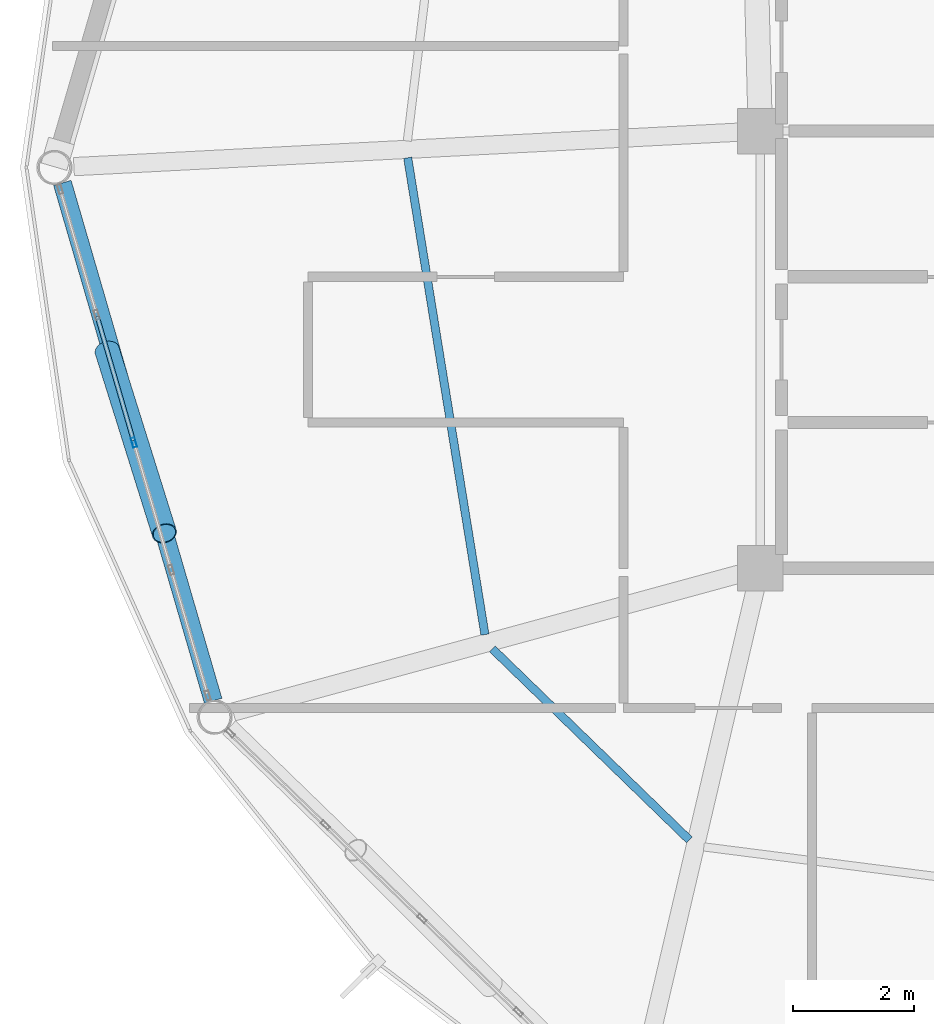
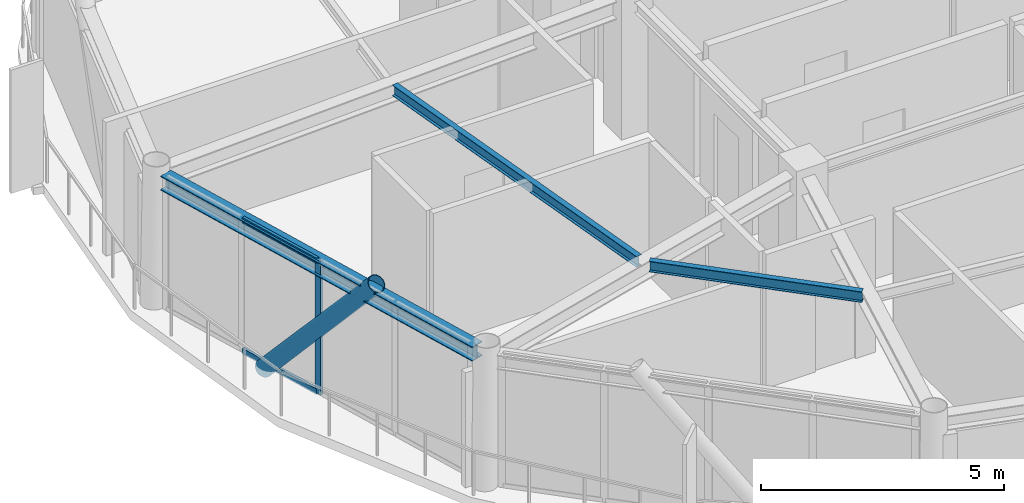
# One storey, part 5 of 27: 4 members, 3 beams, 1 element without a shape of its own.
"""IFC4 building model written with IfcOpenShell, lengths in metres."""

from ifc_helpers import new_model, si_unit, direction, frame, origin, origin_2d, place, context, subcontext, project, spatial, hollow_rectangle, hollow_circle, i_section, extrude, material, layer, layer_set, material_profile, profile_set, type_object, element, aggregate, save


model = new_model("IFC4")

# Units and contexts
model_context = context("Model", 3, precision=1e-05, world=origin(), true_north=direction((0.0, 1.0)))
body_context = subcontext(model_context, "Body", "Model", "MODEL_VIEW")
ifc_project = project(units=[si_unit("LENGTHUNIT", "METRE"), si_unit("AREAUNIT", "SQUARE_METRE"), si_unit("VOLUMEUNIT", "CUBIC_METRE"), si_unit("PLANEANGLEUNIT", "RADIAN"), si_unit("MASSUNIT", "GRAM", prefix="KILO")], contexts=[model_context])

# Site, building, storey
site_placement = place(None, origin())
site = spatial("IfcSite", under=ifc_project, at=site_placement, CompositionType="ELEMENT")
building_placement = place(site_placement, origin())
building = spatial("IfcBuilding", under=site, at=building_placement, Name="Varnakorn Sky Granary", CompositionType="ELEMENT")
storey_placement = place(building_placement, frame((0.0, 0.0, 229.199951171875)))
storey = spatial("IfcBuildingStorey", under=building, at=storey_placement, Name="L58", CompositionType="ELEMENT", Elevation=229.199951171875)

# Beams
ifc_material_1 = material(Name="Steel S355JR", Category="steel")
ifc_material_profile_1 = material_profile(ifc_material_1, i_section(OverallWidth=0.135009765625, OverallDepth=0.27001953125, WebThickness=0.006591796875, FlangeThickness=0.01025390625, at=origin_2d()), Name="IPE 270")
ifc_profile_set_1 = profile_set([ifc_material_profile_1], Name="Steel S355JR")
beam_type_1 = type_object("IfcBeamType", Name="BM-SEC-Z5", PredefinedType="BEAM", material=ifc_profile_set_1)
beam_1_placement = place(storey_placement, frame((-8.15576171875, 0.159423828125, 3.22509765625), z_axis=(0.159952331187, -0.98712473971, 0.0), x_axis=(0.98712473971, 0.159952331187, 0.0)))
element("IfcBeam", 1, at=beam_1_placement, inside=storey, type_object=beam_type_1, Name="Secondary Floor Chord Beam MSB07 L58", PredefinedType="BEAM", context=body_context, shape_type="SweptSolid", body=[
    extrude(i_section(OverallWidth=0.135009765625, OverallDepth=0.27001953125, WebThickness=0.006591796875, FlangeThickness=0.01025390625, at=origin_2d()), origin(), (0.0, 0.0, 1.0), 7.95361328125),
])
beam_2_placement = place(storey_placement, frame((-6.760498046875, -7.927490234375, 3.22509765625), z_axis=(0.717754670483, -0.696296081419, 0.0), x_axis=(0.696296081419, 0.717754670483, 0.0)))
element("IfcBeam", 2, at=beam_2_placement, inside=storey, type_object=beam_type_1, Name="Secondary Floor Chord Beam MSB08 L58", PredefinedType="BEAM", context=body_context, shape_type="SweptSolid", body=[
    extrude(i_section(OverallWidth=0.135009765625, OverallDepth=0.27001953125, WebThickness=0.006591796875, FlangeThickness=0.01025390625, at=origin_2d()), origin(), (0.0, 0.0, 1.0), 4.516845703125),
])
ifc_material_profile_2 = material_profile(ifc_material_1, i_section(OverallWidth=0.300048828125, OverallDepth=0.360107421875, WebThickness=0.012451171875, FlangeThickness=0.0224609375, at=origin_2d()), Name="HE 360 B")
ifc_profile_set_2 = profile_set([ifc_material_profile_2], Name="Steel S355JR")
beam_type_2 = type_object("IfcBeamType", Name="BM-SPD-Z5", PredefinedType="SPANDREL", material=ifc_profile_set_2)
beam_3_placement = place(storey_placement, frame((-13.842041015625, -0.25390625, 3.179931640625), z_axis=(0.279549304116, -0.960131338187, 0.0), x_axis=(0.960131338187, 0.279549304116, 0.0)))
element("IfcBeam", 3, at=beam_3_placement, inside=storey, type_object=beam_type_2, Name="Perimeter Spandrel Ring Beam RB07 L58", PredefinedType="SPANDREL", context=body_context, shape_type="SweptSolid", body=[
    extrude(i_section(OverallWidth=0.300048828125, OverallDepth=0.360107421875, WebThickness=0.012451171875, FlangeThickness=0.0224609375, at=origin_2d()), origin(), (0.0, 0.0, 1.0), 8.8828125),
])

# Curtain wall, members
ifc_material_2 = material(Name="Anodised Bronze Aluminium Alloy 6063-T6", Category="aluminium")
ifc_layer = layer(ifc_material_2, 0.169921875, Name="Anodised Bronze Aluminium Alloy 6063-T6")
ifc_layer_set = layer_set([ifc_layer], Name="Anodised Bronze Aluminium Alloy 6063-T6")
curtain_wall_type = type_object("IfcCurtainWallType", Name="CW-LAB-1", PredefinedType="USERDEFINED", material=ifc_layer_set)
curtain_wall_placement = place(storey_placement, origin())
curtain_wall = element("IfcCurtainWall", 4, at=curtain_wall_placement, inside=storey, type_object=curtain_wall_type, Name="Unitised Curtain Wall CW5 CW-L58-B07", ObjectType="CURTAIN WALL", PredefinedType="USERDEFINED")
ifc_material_profile_3 = material_profile(ifc_material_2, hollow_rectangle(XDim=0.06494140625, YDim=0.159912109375, WallThickness=0.00341796875, at=origin_2d()), Name="ALU MULL 65x160")
ifc_profile_set_3 = profile_set([ifc_material_profile_3], Name="Anodised Bronze Aluminium Alloy 6063-T6")
member_type_1 = type_object("IfcMemberType", Name="CW-LAB-1-MULL", PredefinedType="MULLION", material=ifc_profile_set_3)
member_1_placement = place(storey_placement, frame((-12.663818359375, -4.52685546875, 0.0), z_axis=(0.0, 0.0, 1.0), x_axis=(-0.96000908574, -0.27996884701, 0.0)))
member_1 = element("IfcMember", 5, at=member_1_placement, type_object=member_type_1, Name="CW5 mullion 3", PredefinedType="MULLION", context=body_context, shape_type="SweptSolid", body=[
    extrude(hollow_rectangle(XDim=0.06494140625, YDim=0.159912109375, WallThickness=0.00341796875, at=origin_2d()), origin(), (0.0, 0.0, 1.0), 3.360107421875),
])
ifc_material_profile_4 = material_profile(ifc_material_2, hollow_rectangle(XDim=0.070068359375, YDim=0.139892578125, WallThickness=0.00341796875, at=origin_2d()), Name="ALU TRAN 70x140")
ifc_profile_set_4 = profile_set([ifc_material_profile_4], Name="Anodised Bronze Aluminium Alloy 6063-T6")
member_type_2 = type_object("IfcMemberType", Name="CW-LAB-1-TRAN", PredefinedType="USERDEFINED", material=ifc_profile_set_4)
member_2_placement = place(storey_placement, frame((-12.673095703125, -4.49560546875, 0.03515625), z_axis=(-0.279911678285, 0.960025756092, 0.0), x_axis=(-0.960025756092, -0.279911678285, 0.0)))
member_2 = element("IfcMember", 6, at=member_2_placement, type_object=member_type_2, Name="CW5 transom 3.1", ObjectType="TRANSOM", PredefinedType="USERDEFINED", context=body_context, shape_type="SweptSolid", body=[
    extrude(hollow_rectangle(XDim=0.070068359375, YDim=0.139892578125, WallThickness=0.00341796875, at=origin_2d()), origin(), (0.0, 0.0, 1.0), 2.123046875),
])
member_3_placement = place(storey_placement, frame((-12.673095703125, -4.49560546875, 3.324951171875), z_axis=(-0.279911678285, 0.960025756092, 0.0), x_axis=(-0.960025756092, -0.279911678285, 0.0)))
member_3 = element("IfcMember", 7, at=member_3_placement, type_object=member_type_2, Name="CW5 transom 3.2", ObjectType="TRANSOM", PredefinedType="USERDEFINED", context=body_context, shape_type="SweptSolid", body=[
    extrude(hollow_rectangle(XDim=0.070068359375, YDim=0.139892578125, WallThickness=0.00341796875, at=origin_2d()), origin(), (0.0, 0.0, 1.0), 2.123046875),
])
aggregate(curtain_wall, [member_1, member_2, member_3])

# Member
ifc_material_3 = material(Name="Steel S460M", Category="steel")
ifc_material_profile_5 = material_profile(ifc_material_3, hollow_circle(Radius=0.203125, WallThickness=0.01611328125, at=origin_2d()), Name="CHS 406.4x16")
ifc_profile_set_5 = profile_set([ifc_material_profile_5], Name="Steel S460M")
member_type_3 = type_object("IfcMemberType", Name="MB-DIAG-T4", PredefinedType="BRACE", material=ifc_profile_set_5)
member_4_placement = place(storey_placement, frame((-13.10400390625, -3.017822265625, -0.1298828125), z_axis=(0.196318513905, -0.626499740539, 0.754292460656), x_axis=(0.954246675681, 0.299020537674, 0.0)))
element("IfcMember", 8, at=member_4_placement, inside=storey, type_object=member_type_3, Name="Perimeter CHS Diagrid Brace DG07 L58", PredefinedType="BRACE", context=body_context, shape_type="SweptSolid", body=[
    extrude(hollow_circle(Radius=0.203125, WallThickness=0.01611328125, at=origin_2d()), origin(), (0.0, 0.0, 1.0), 4.799072265625),
])

save(model, "model.ifc")
